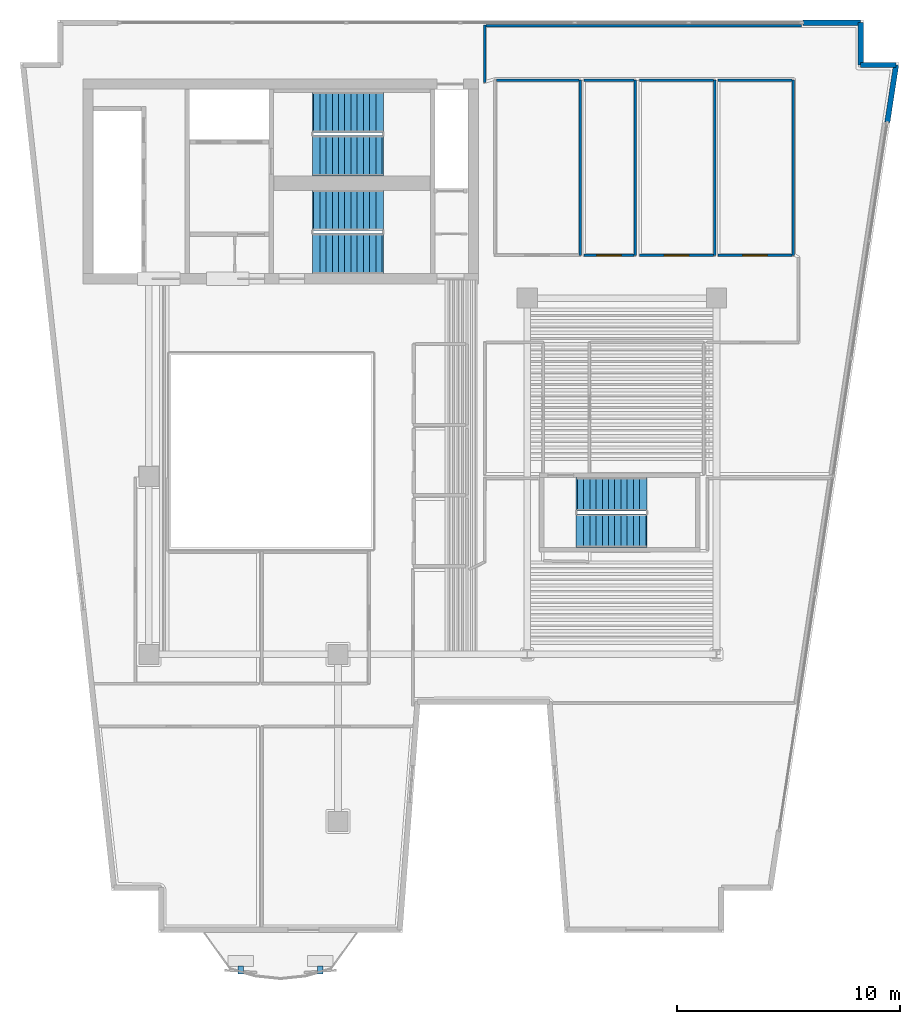
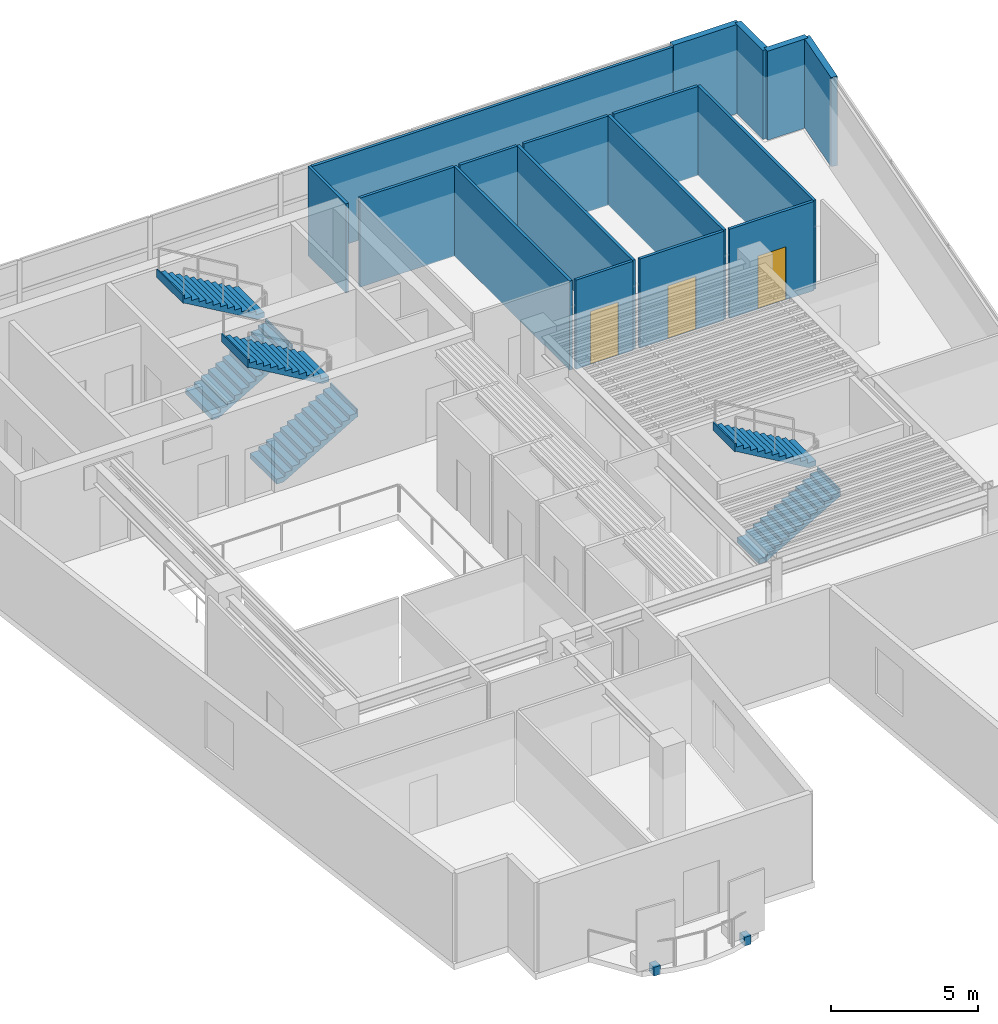
# One storey, part 6 of 8: 17 walls, 6 stair flights, 3 doors, 2 discrete accessories, 3 openings, 3 elements without a shape of their own.
"""IFC4 building model written with IfcOpenShell, lengths in metres."""

from ifc_helpers import new_model, si_unit, direction, frame, frame_2d, origin, origin_2d, place, context, subcontext, project, spatial, polyline, rectangle, outline, extrude, material, layer, layer_set, type_object, element, fill, aggregate, save


model = new_model("IFC4")

# Units and contexts
model_context = context("Model", 3, precision=1e-05, world=origin(), true_north=direction((0.0, 1.0)))
body_context = subcontext(model_context, "Body", "Model", "MODEL_VIEW")
ifc_project = project(units=[si_unit("LENGTHUNIT", "METRE"), si_unit("AREAUNIT", "SQUARE_METRE"), si_unit("VOLUMEUNIT", "CUBIC_METRE"), si_unit("PLANEANGLEUNIT", "RADIAN"), si_unit("MASSUNIT", "GRAM", prefix="KILO")], contexts=[model_context])

# Site, building, storey
site_placement = place(None, origin())
site = spatial("IfcSite", under=ifc_project, at=site_placement, CompositionType="ELEMENT")
building_placement = place(site_placement, origin())
building = spatial("IfcBuilding", under=site, at=building_placement, Name="Caeloran Harvest Quay", CompositionType="ELEMENT")
storey_placement = place(building_placement, frame((0.0, 0.0, 243.0)))
storey = spatial("IfcBuildingStorey", under=building, at=storey_placement, Name="L58", CompositionType="ELEMENT", Elevation=243.0)

# Walls
ifc_material_1 = material(Name="Precast concrete C50/60", Category="concrete")
ifc_layer_1 = layer(ifc_material_1, 0.239990234375, Name="Precast concrete C50/60")
ifc_layer_set_1 = layer_set([ifc_layer_1], Name="Precast concrete C50/60")
wall_type_1 = type_object("IfcWallType", Name="ENV-WALL-EW-240", PredefinedType="STANDARD", material=ifc_layer_set_1)
wall_1_placement = place(storey_placement, frame((37.8798828125, 43.3798828125, 0.0), z_axis=(0.0, 0.0, 1.0), x_axis=(1.0, 0.0, 0.0)))
element("IfcWall", 1, at=wall_1_placement, inside=storey, type_object=wall_type_1, Name="L58 Exterior Facade Corner Pier Wall 6B", PredefinedType="STANDARD", context=body_context, shape_type="SweptSolid", body=[
    extrude(rectangle(XDim=2.60009765625, YDim=0.239990234375, at=frame_2d((1.300048828125, 0.0))), origin(), (0.0, 0.0, 1.0), 3.699951171875),
])
wall_2_placement = place(storey_placement, frame((40.47998046875, 43.3798828125, 0.0), z_axis=(0.0, 0.0, 1.0), x_axis=(0.0, -1.0, 0.0)))
element("IfcWall", 2, at=wall_2_placement, inside=storey, type_object=wall_type_1, Name="L58 Exterior Precast Concrete Facade Wall 7", PredefinedType="STANDARD", context=body_context, shape_type="SweptSolid", body=[
    extrude(rectangle(XDim=1.89990234375, YDim=0.239990234375, at=frame_2d((0.949951171875, 0.0))), origin(), (0.0, 0.0, 1.0), 3.699951171875),
])
wall_3_placement = place(storey_placement, frame((40.47998046875, 41.47998046875, 0.0), z_axis=(0.0, 0.0, 1.0), x_axis=(1.0, 0.0, 0.0)))
element("IfcWall", 3, at=wall_3_placement, inside=storey, type_object=wall_type_1, Name="L58 Exterior Precast Concrete Facade Wall 8", PredefinedType="STANDARD", context=body_context, shape_type="SweptSolid", body=[
    extrude(rectangle(XDim=1.590087890625, YDim=0.239990234375, at=frame_2d((0.794921875, 0.0))), origin(), (0.0, 0.0, 1.0), 3.699951171875),
])
wall_4_placement = place(storey_placement, frame((42.070068359375, 41.47998046875, 0.0), z_axis=(0.0, 0.0, 1.0), x_axis=(-0.151090396132, -0.988519950328, 0.0)))
element("IfcWall", 4, at=wall_4_placement, inside=storey, type_object=wall_type_1, Name="L58 Exterior Facade Corner Pier Wall 9A", PredefinedType="STANDARD", context=body_context, shape_type="SweptSolid", body=[
    extrude(rectangle(XDim=2.599853515625, YDim=0.239990234375, at=frame_2d((1.2998046875, 0.0))), origin(), (0.0, 0.0, 1.0), 3.699951171875),
])
ifc_material_2 = material(Name="Single-Stud Acoustic Gypsum Office Partition", Category="gypsum")
ifc_layer_2 = layer(ifc_material_2, 0.112060546875, Name="Single-Stud Acoustic Gypsum Office Partition")
ifc_layer_set_2 = layer_set([ifc_layer_2], Name="Single-Stud Acoustic Gypsum Office Partition")
wall_type_2 = type_object("IfcWallType", Name="INT-WALL-PW-112", PredefinedType="PARTITIONING", material=ifc_layer_set_2)
wall_5_placement = place(storey_placement, frame((27.8798828125, 40.800048828125, 0.0), z_axis=(0.0, 0.0, 1.0), x_axis=(0.0, -1.0, 0.0)))
element("IfcWall", 5, at=wall_5_placement, inside=storey, type_object=wall_type_2, Name="L58 Crop Phenotyping West Laboratory Partition Wall", PredefinedType="PARTITIONING", context=body_context, shape_type="SweptSolid", body=[
    extrude(rectangle(XDim=7.880126953125, YDim=0.112060546875, at=frame_2d((3.93994140625, 0.0))), origin(), (0.0, 0.0, 1.0), 3.699951171875),
])
wall_6_placement = place(storey_placement, frame((24.111083984375, 40.800048828125, 0.0), z_axis=(0.0, 0.0, 1.0), x_axis=(1.0, 0.0, 0.0)))
element("IfcWall", 6, at=wall_6_placement, inside=storey, type_object=wall_type_2, Name="L58 Crop Phenotyping West Laboratory Partition Wall", PredefinedType="PARTITIONING", context=body_context, shape_type="SweptSolid", body=[
    extrude(rectangle(XDim=3.7080078125, YDim=0.112060546875, at=frame_2d((1.85400390625, 0.0))), origin(), (0.0, 0.0, 1.0), 3.699951171875),
])
wall_7_placement = place(storey_placement, frame((30.35009765625, 40.800048828125, 0.0), z_axis=(0.0, 0.0, 1.0), x_axis=(0.0, -1.0, 0.0)))
element("IfcWall", 7, at=wall_7_placement, inside=storey, type_object=wall_type_2, Name="L58 Genomics Sequencing East Studio Partition Wall", PredefinedType="PARTITIONING", context=body_context, shape_type="SweptSolid", body=[
    extrude(rectangle(XDim=7.880126953125, YDim=0.112060546875, at=frame_2d((3.93994140625, 0.0))), origin(), (0.0, 0.0, 1.0), 3.699951171875),
])

# Wall, opening, door
wall_8_placement = place(storey_placement, frame((30.2890625, 32.919921875, 0.0), z_axis=(0.0, 0.0, 1.0), x_axis=(-1.0, 0.0, 0.0)))
wall_8 = element("IfcWall", 8, at=wall_8_placement, inside=storey, type_object=wall_type_2, Name="L58 Genomics Sequencing East Studio Partition Wall", PredefinedType="PARTITIONING", context=body_context, shape_type="SweptSolid", body=[
    extrude(rectangle(XDim=2.2490234375, YDim=0.112060546875, at=frame_2d((1.12451171875, 0.0))), origin(), (0.0, 0.0, 1.0), 3.699951171875),
])
opening_1_placement = place(wall_8_placement, frame((0.574462890625, 0.0, 0.0)))
opening_1 = element("IfcOpeningElement", 9, at=opening_1_placement, cuts=wall_8, Name="Opening ID-04", PredefinedType="OPENING", context=body_context, shape_type="SweptSolid", body=[
    extrude(rectangle(XDim=1.10009765625, YDim=2.199951171875, at=frame_2d((0.550048828125, 1.10009765625))), frame((0.0, 0.06591796875, 0.0), z_axis=(0.0, -1.0, 0.0), x_axis=(1.0, 0.0, 0.0)), (0.0, 0.0, 1.0), 0.132080078125),
])
ifc_material_3 = material(Name="Acoustic Walnut Veneer Executive Door", Category="wood")
door_type = type_object("IfcDoorType", Name="INTDOOR-ID-04", OperationType="NOTDEFINED", PredefinedType="DOOR", material=ifc_material_3)
door_1_placement = place(opening_1_placement, origin())
door_1 = element("IfcDoor", 10, at=door_1_placement, inside=storey, type_object=door_type, Name="L58 Genomics Sequencing East Studio Access Door", OperationType="SINGLE_SWING_RIGHT", OverallHeight=2.199951171875, OverallWidth=1.10009765625, PredefinedType="DOOR", context=body_context, shape_type="SweptSolid", body=[
    extrude(rectangle(XDim=1.10009765625, YDim=2.199951171875, at=frame_2d((0.550048828125, 1.10009765625))), frame((0.0, 0.02490234375, 0.0), z_axis=(0.0, -1.0, 0.0), x_axis=(1.0, 0.0, 0.0)), (0.0, 0.0, 1.0), 0.050048828125),
])
fill(opening_1, door_1)

# Walls
wall_9_placement = place(storey_placement, frame((28.0400390625, 40.800048828125, 0.0), z_axis=(0.0, 0.0, 1.0), x_axis=(1.0, 0.0, 0.0)))
element("IfcWall", 11, at=wall_9_placement, inside=storey, type_object=wall_type_2, Name="L58 Genomics Sequencing East Studio Partition Wall", PredefinedType="PARTITIONING", context=body_context, shape_type="SweptSolid", body=[
    extrude(rectangle(XDim=2.2490234375, YDim=0.112060546875, at=frame_2d((1.12451171875, 0.0))), origin(), (0.0, 0.0, 1.0), 3.699951171875),
])
wall_10_placement = place(storey_placement, frame((33.919921875, 40.800048828125, 0.0), z_axis=(0.0, 0.0, 1.0), x_axis=(0.0, -1.0, 0.0)))
element("IfcWall", 12, at=wall_10_placement, inside=storey, type_object=wall_type_2, Name="L58 Agri-Genomics West Boardroom Partition Wall", PredefinedType="PARTITIONING", context=body_context, shape_type="SweptSolid", body=[
    extrude(rectangle(XDim=7.880126953125, YDim=0.112060546875, at=frame_2d((3.93994140625, 0.0))), origin(), (0.0, 0.0, 1.0), 3.699951171875),
])

# Wall, opening, door
wall_11_placement = place(storey_placement, frame((33.85888671875, 32.919921875, 0.0), z_axis=(0.0, 0.0, 1.0), x_axis=(-1.0, 0.0, 0.0)))
wall_11 = element("IfcWall", 13, at=wall_11_placement, inside=storey, type_object=wall_type_2, Name="L58 Agri-Genomics West Boardroom Partition Wall", PredefinedType="PARTITIONING", context=body_context, shape_type="SweptSolid", body=[
    extrude(rectangle(XDim=3.308837890625, YDim=0.112060546875, at=frame_2d((1.654296875, 0.0))), origin(), (0.0, 0.0, 1.0), 3.699951171875),
])
opening_2_placement = place(wall_11_placement, frame((1.1044921875, 0.0, 0.0)))
opening_2 = element("IfcOpeningElement", 14, at=opening_2_placement, cuts=wall_11, Name="Opening ID-04", PredefinedType="OPENING", context=body_context, shape_type="SweptSolid", body=[
    extrude(rectangle(XDim=1.10009765625, YDim=2.199951171875, at=frame_2d((0.550048828125, 1.10009765625))), frame((0.0, 0.06591796875, 0.0), z_axis=(0.0, -1.0, 0.0), x_axis=(1.0, 0.0, 0.0)), (0.0, 0.0, 1.0), 0.132080078125),
])
door_2_placement = place(opening_2_placement, origin())
door_2 = element("IfcDoor", 15, at=door_2_placement, inside=storey, type_object=door_type, Name="L58 Agri-Genomics West Boardroom Access Door", OperationType="SINGLE_SWING_LEFT", OverallHeight=2.199951171875, OverallWidth=1.10009765625, PredefinedType="DOOR", context=body_context, shape_type="SweptSolid", body=[
    extrude(rectangle(XDim=1.10009765625, YDim=2.199951171875, at=frame_2d((0.550048828125, 1.10009765625))), frame((0.0, 0.02490234375, 0.0), z_axis=(0.0, -1.0, 0.0), x_axis=(1.0, 0.0, 0.0)), (0.0, 0.0, 1.0), 0.050048828125),
])
fill(opening_2, door_2)

# Walls
wall_12_placement = place(storey_placement, frame((30.550048828125, 40.800048828125, 0.0), z_axis=(0.0, 0.0, 1.0), x_axis=(1.0, 0.0, 0.0)))
element("IfcWall", 16, at=wall_12_placement, inside=storey, type_object=wall_type_2, Name="L58 Agri-Genomics West Boardroom Partition Wall", PredefinedType="PARTITIONING", context=body_context, shape_type="SweptSolid", body=[
    extrude(rectangle(XDim=3.308837890625, YDim=0.112060546875, at=frame_2d((1.654296875, 0.0))), origin(), (0.0, 0.0, 1.0), 3.699951171875),
])
wall_13_placement = place(storey_placement, frame((37.449951171875, 40.800048828125, 0.0), z_axis=(0.0, 0.0, 1.0), x_axis=(0.0, -1.0, 0.0)))
element("IfcWall", 17, at=wall_13_placement, inside=storey, type_object=wall_type_2, Name="L58 Executive Strategy East Office Partition Wall", PredefinedType="PARTITIONING", context=body_context, shape_type="SweptSolid", body=[
    extrude(rectangle(XDim=7.880126953125, YDim=0.112060546875, at=frame_2d((3.93994140625, 0.0))), origin(), (0.0, 0.0, 1.0), 3.699951171875),
])

# Wall, opening, door
wall_14_placement = place(storey_placement, frame((37.388916015625, 32.919921875, 0.0), z_axis=(0.0, 0.0, 1.0), x_axis=(-1.0, 0.0, 0.0)))
wall_14 = element("IfcWall", 18, at=wall_14_placement, inside=storey, type_object=wall_type_2, Name="L58 Executive Strategy East Office Partition Wall", PredefinedType="PARTITIONING", context=body_context, shape_type="SweptSolid", body=[
    extrude(rectangle(XDim=3.308837890625, YDim=0.112060546875, at=frame_2d((1.654296875, 0.0))), origin(), (0.0, 0.0, 1.0), 3.699951171875),
])
opening_3_placement = place(wall_14_placement, frame((1.1044921875, 0.0, 0.0)))
opening_3 = element("IfcOpeningElement", 19, at=opening_3_placement, cuts=wall_14, Name="Opening ID-04", PredefinedType="OPENING", context=body_context, shape_type="SweptSolid", body=[
    extrude(rectangle(XDim=1.10009765625, YDim=2.199951171875, at=frame_2d((0.550048828125, 1.10009765625))), frame((0.0, 0.06591796875, 0.0), z_axis=(0.0, -1.0, 0.0), x_axis=(1.0, 0.0, 0.0)), (0.0, 0.0, 1.0), 0.132080078125),
])
door_3_placement = place(opening_3_placement, origin())
door_3 = element("IfcDoor", 20, at=door_3_placement, inside=storey, type_object=door_type, Name="L58 Executive Strategy East Office Access Door", OperationType="SINGLE_SWING_RIGHT", OverallHeight=2.199951171875, OverallWidth=1.10009765625, PredefinedType="DOOR", context=body_context, shape_type="SweptSolid", body=[
    extrude(rectangle(XDim=1.10009765625, YDim=2.199951171875, at=frame_2d((0.550048828125, 1.10009765625))), frame((0.0, 0.02490234375, 0.0), z_axis=(0.0, -1.0, 0.0), x_axis=(1.0, 0.0, 0.0)), (0.0, 0.0, 1.0), 0.050048828125),
])
fill(opening_3, door_3)

# Walls
wall_15_placement = place(storey_placement, frame((34.080078125, 40.800048828125, 0.0), z_axis=(0.0, 0.0, 1.0), x_axis=(1.0, 0.0, 0.0)))
element("IfcWall", 21, at=wall_15_placement, inside=storey, type_object=wall_type_2, Name="L58 Executive Strategy East Office Partition Wall", PredefinedType="PARTITIONING", context=body_context, shape_type="SweptSolid", body=[
    extrude(rectangle(XDim=3.308837890625, YDim=0.112060546875, at=frame_2d((1.654296875, 0.0))), origin(), (0.0, 0.0, 1.0), 3.699951171875),
])
wall_16_placement = place(storey_placement, frame((23.580078125, 40.693115234375, 0.0), z_axis=(0.0, 0.0, 1.0), x_axis=(0.0, 1.0, 0.0)))
element("IfcWall", 22, at=wall_16_placement, inside=storey, type_object=wall_type_2, Name="GIS Spatial Modelling Lab 8 Partition Wall", PredefinedType="PARTITIONING", context=body_context, shape_type="SweptSolid", body=[
    extrude(rectangle(XDim=2.581787109375, YDim=0.112060546875, at=frame_2d((1.291015625, 0.0))), origin(), (0.0, 0.0, 1.0), 3.699951171875),
])
wall_17_placement = place(storey_placement, frame((23.64111328125, 43.239990234375, 0.0), z_axis=(0.0, 0.0, 1.0), x_axis=(1.0, 0.0, 0.0)))
element("IfcWall", 23, at=wall_17_placement, inside=storey, type_object=wall_type_2, Name="GIS Spatial Modelling Lab 8 Partition Wall", PredefinedType="PARTITIONING", context=body_context, shape_type="SweptSolid", body=[
    extrude(rectangle(XDim=14.173828125, YDim=0.112060546875, at=frame_2d((7.0869140625, 0.0))), origin(), (0.0, 0.0, 1.0), 3.699951171875),
])

# Stair, stair flights
ifc_material_4 = material(Name="Concrete C50/60", Category="concrete")
stair_type_1 = type_object("IfcStairType", Name="STAIR-STC-180", PredefinedType="HALF_TURN_STAIR", material=ifc_material_4)
stair_1_placement = place(storey_placement, origin())
stair_1 = element("IfcStair", 24, at=stair_1_placement, inside=storey, type_object=stair_type_1, Name="L58 Core Pressurized Exit Stair ST-C1", PredefinedType="HALF_TURN_STAIR")
stair_flight_type_1 = type_object("IfcStairFlightType", Name="FLIGHT-STC-180", PredefinedType="STRAIGHT", material=ifc_material_4)
stair_flight_1_placement = place(storey_placement, frame((15.89990234375, 37.39990234375, 0.0), z_axis=(0.0, 0.0, 1.0), x_axis=(1.0, 0.0, 0.0)))
stair_flight_1 = element("IfcStairFlight", 25, at=stair_flight_1_placement, type_object=stair_flight_type_1, Name="ST-C1 flight 1", NumberOfRisers=12, NumberOfTreads=11, PredefinedType="STRAIGHT", RiserHeight=0.164583333, TreadLength=0.28, context=body_context, shape_type="SweptSolid", body=[
    extrude(outline(polyline([(-0.054931640625, -0.044921875), (-0.054931640625, -0.031982421875), (-0.054931640625, -0.018798828125), (-0.054931640625, -0.005615234375), (-0.054931640625, 0.00732421875), (-0.054931640625, 0.0205078125), (-0.054931640625, 0.03369140625), (-0.054931640625, 0.046630859375), (-0.054931640625, 0.059814453125), (-0.054931640625, 0.072998046875), (-0.054931640625, 0.0859375), (-0.054931640625, 0.09912109375), (-0.054931640625, 0.1123046875), (-0.054931640625, 0.125244140625), (-0.054931640625, 0.138427734375), (-0.054931640625, 0.1513671875), (-0.054931640625, 0.16455078125), (0.280029296875, 0.16455078125), (0.280029296875, 0.3291015625), (0.56005859375, 0.3291015625), (0.56005859375, 0.49365234375), (0.840087890625, 0.49365234375), (0.840087890625, 0.658447265625), (1.1201171875, 0.658447265625), (1.1201171875, 0.822998046875), (1.39990234375, 0.822998046875), (1.39990234375, 0.987548828125), (1.679931640625, 0.987548828125), (1.679931640625, 1.152099609375), (1.9599609375, 1.152099609375), (1.9599609375, 1.316650390625), (2.239990234375, 1.316650390625), (2.239990234375, 1.481201171875), (2.52001953125, 1.481201171875), (2.52001953125, 1.645751953125), (2.800048828125, 1.645751953125), (2.800048828125, 1.810302734375), (3.080078125, 1.810302734375), (3.080078125, 1.97509765625), (3.135009765625, 1.97509765625), (3.135009765625, 1.953857421875), (3.135009765625, 1.9326171875), (3.135009765625, 1.91162109375), (3.135009765625, 1.890380859375), (3.135009765625, 1.869140625), (3.135009765625, 1.84814453125), (3.135009765625, 1.826904296875), (3.135009765625, 1.8056640625), (3.135009765625, 1.78466796875), (3.135009765625, 1.763427734375), (3.135009765625, 1.7421875), (3.135009765625, 1.72119140625), (3.135009765625, 1.699951171875), (3.135009765625, 1.678955078125), (3.135009765625, 1.65771484375), (3.135009765625, 1.636474609375), (3.080078125, 1.636474609375), (0.21923828125, -0.044921875), (-0.054931640625, -0.044921875)])), frame((0.0, 0.89990234375, 0.0), z_axis=(0.0, -1.0, 0.0), x_axis=(1.0, 0.0, 0.0)), (0.0, 0.0, 1.0), 1.800048828125),
])
stair_flight_2_placement = place(storey_placement, frame((18.97998046875, 39.35009765625, 1.97509765625), z_axis=(0.0, 0.0, 1.0), x_axis=(-1.0, 0.0, 0.0)))
stair_flight_2 = element("IfcStairFlight", 26, at=stair_flight_2_placement, type_object=stair_flight_type_1, Name="ST-C1 flight 2", NumberOfRisers=12, NumberOfTreads=11, PredefinedType="STRAIGHT", RiserHeight=0.164583333, TreadLength=0.28, context=body_context, shape_type="SweptSolid", body=[
    extrude(outline(polyline([(-0.054931640625, -0.044921875), (-0.054931640625, -0.031982421875), (-0.054931640625, -0.018798828125), (-0.054931640625, -0.005615234375), (-0.054931640625, 0.00732421875), (-0.054931640625, 0.0205078125), (-0.054931640625, 0.03369140625), (-0.054931640625, 0.046630859375), (-0.054931640625, 0.059814453125), (-0.054931640625, 0.072998046875), (-0.054931640625, 0.0859375), (-0.054931640625, 0.09912109375), (-0.054931640625, 0.1123046875), (-0.054931640625, 0.125244140625), (-0.054931640625, 0.138427734375), (-0.054931640625, 0.1513671875), (-0.054931640625, 0.16455078125), (0.280029296875, 0.16455078125), (0.280029296875, 0.3291015625), (0.56005859375, 0.3291015625), (0.56005859375, 0.49365234375), (0.840087890625, 0.49365234375), (0.840087890625, 0.658447265625), (1.1201171875, 0.658447265625), (1.1201171875, 0.822998046875), (1.39990234375, 0.822998046875), (1.39990234375, 0.987548828125), (1.679931640625, 0.987548828125), (1.679931640625, 1.152099609375), (1.9599609375, 1.152099609375), (1.9599609375, 1.316650390625), (2.239990234375, 1.316650390625), (2.239990234375, 1.481201171875), (2.52001953125, 1.481201171875), (2.52001953125, 1.645751953125), (2.800048828125, 1.645751953125), (2.800048828125, 1.810302734375), (3.080078125, 1.810302734375), (3.080078125, 1.97509765625), (3.135009765625, 1.97509765625), (3.135009765625, 1.953857421875), (3.135009765625, 1.9326171875), (3.135009765625, 1.91162109375), (3.135009765625, 1.890380859375), (3.135009765625, 1.869140625), (3.135009765625, 1.84814453125), (3.135009765625, 1.826904296875), (3.135009765625, 1.8056640625), (3.135009765625, 1.78466796875), (3.135009765625, 1.763427734375), (3.135009765625, 1.7421875), (3.135009765625, 1.72119140625), (3.135009765625, 1.699951171875), (3.135009765625, 1.678955078125), (3.135009765625, 1.65771484375), (3.135009765625, 1.636474609375), (3.080078125, 1.636474609375), (0.21923828125, -0.044921875), (-0.054931640625, -0.044921875)])), frame((0.0, 0.89990234375, 0.0), z_axis=(0.0, -1.0, 0.0), x_axis=(1.0, 0.0, 0.0)), (0.0, 0.0, 1.0), 1.800048828125),
])
aggregate(stair_1, [stair_flight_1, stair_flight_2])

stair_2_placement = place(storey_placement, origin())
stair_2 = element("IfcStair", 27, at=stair_2_placement, inside=storey, type_object=stair_type_1, Name="L58 Core Pressurized Exit Stair ST-C2", PredefinedType="HALF_TURN_STAIR")
stair_flight_3_placement = place(storey_placement, frame((15.89990234375, 33.0, 0.0), z_axis=(0.0, 0.0, 1.0), x_axis=(1.0, 0.0, 0.0)))
stair_flight_3 = element("IfcStairFlight", 28, at=stair_flight_3_placement, type_object=stair_flight_type_1, Name="ST-C2 flight 1", NumberOfRisers=12, NumberOfTreads=11, PredefinedType="STRAIGHT", RiserHeight=0.164583333, TreadLength=0.28, context=body_context, shape_type="SweptSolid", body=[
    extrude(outline(polyline([(-0.054931640625, -0.044921875), (-0.054931640625, -0.031982421875), (-0.054931640625, -0.018798828125), (-0.054931640625, -0.005615234375), (-0.054931640625, 0.00732421875), (-0.054931640625, 0.0205078125), (-0.054931640625, 0.03369140625), (-0.054931640625, 0.046630859375), (-0.054931640625, 0.059814453125), (-0.054931640625, 0.072998046875), (-0.054931640625, 0.0859375), (-0.054931640625, 0.09912109375), (-0.054931640625, 0.1123046875), (-0.054931640625, 0.125244140625), (-0.054931640625, 0.138427734375), (-0.054931640625, 0.1513671875), (-0.054931640625, 0.16455078125), (0.280029296875, 0.16455078125), (0.280029296875, 0.3291015625), (0.56005859375, 0.3291015625), (0.56005859375, 0.49365234375), (0.840087890625, 0.49365234375), (0.840087890625, 0.658447265625), (1.1201171875, 0.658447265625), (1.1201171875, 0.822998046875), (1.39990234375, 0.822998046875), (1.39990234375, 0.987548828125), (1.679931640625, 0.987548828125), (1.679931640625, 1.152099609375), (1.9599609375, 1.152099609375), (1.9599609375, 1.316650390625), (2.239990234375, 1.316650390625), (2.239990234375, 1.481201171875), (2.52001953125, 1.481201171875), (2.52001953125, 1.645751953125), (2.800048828125, 1.645751953125), (2.800048828125, 1.810302734375), (3.080078125, 1.810302734375), (3.080078125, 1.97509765625), (3.135009765625, 1.97509765625), (3.135009765625, 1.953857421875), (3.135009765625, 1.9326171875), (3.135009765625, 1.91162109375), (3.135009765625, 1.890380859375), (3.135009765625, 1.869140625), (3.135009765625, 1.84814453125), (3.135009765625, 1.826904296875), (3.135009765625, 1.8056640625), (3.135009765625, 1.78466796875), (3.135009765625, 1.763427734375), (3.135009765625, 1.7421875), (3.135009765625, 1.72119140625), (3.135009765625, 1.699951171875), (3.135009765625, 1.678955078125), (3.135009765625, 1.65771484375), (3.135009765625, 1.636474609375), (3.080078125, 1.636474609375), (0.21923828125, -0.044921875), (-0.054931640625, -0.044921875)])), frame((0.0, 0.89990234375, 0.0), z_axis=(0.0, -1.0, 0.0), x_axis=(1.0, 0.0, 0.0)), (0.0, 0.0, 1.0), 1.800048828125),
])
stair_flight_4_placement = place(storey_placement, frame((18.97998046875, 34.949951171875, 1.97509765625), z_axis=(0.0, 0.0, 1.0), x_axis=(-1.0, 0.0, 0.0)))
stair_flight_4 = element("IfcStairFlight", 29, at=stair_flight_4_placement, type_object=stair_flight_type_1, Name="ST-C2 flight 2", NumberOfRisers=12, NumberOfTreads=11, PredefinedType="STRAIGHT", RiserHeight=0.164583333, TreadLength=0.28, context=body_context, shape_type="SweptSolid", body=[
    extrude(outline(polyline([(-0.054931640625, -0.044921875), (-0.054931640625, -0.031982421875), (-0.054931640625, -0.018798828125), (-0.054931640625, -0.005615234375), (-0.054931640625, 0.00732421875), (-0.054931640625, 0.0205078125), (-0.054931640625, 0.03369140625), (-0.054931640625, 0.046630859375), (-0.054931640625, 0.059814453125), (-0.054931640625, 0.072998046875), (-0.054931640625, 0.0859375), (-0.054931640625, 0.09912109375), (-0.054931640625, 0.1123046875), (-0.054931640625, 0.125244140625), (-0.054931640625, 0.138427734375), (-0.054931640625, 0.1513671875), (-0.054931640625, 0.16455078125), (0.280029296875, 0.16455078125), (0.280029296875, 0.3291015625), (0.56005859375, 0.3291015625), (0.56005859375, 0.49365234375), (0.840087890625, 0.49365234375), (0.840087890625, 0.658447265625), (1.1201171875, 0.658447265625), (1.1201171875, 0.822998046875), (1.39990234375, 0.822998046875), (1.39990234375, 0.987548828125), (1.679931640625, 0.987548828125), (1.679931640625, 1.152099609375), (1.9599609375, 1.152099609375), (1.9599609375, 1.316650390625), (2.239990234375, 1.316650390625), (2.239990234375, 1.481201171875), (2.52001953125, 1.481201171875), (2.52001953125, 1.645751953125), (2.800048828125, 1.645751953125), (2.800048828125, 1.810302734375), (3.080078125, 1.810302734375), (3.080078125, 1.97509765625), (3.135009765625, 1.97509765625), (3.135009765625, 1.953857421875), (3.135009765625, 1.9326171875), (3.135009765625, 1.91162109375), (3.135009765625, 1.890380859375), (3.135009765625, 1.869140625), (3.135009765625, 1.84814453125), (3.135009765625, 1.826904296875), (3.135009765625, 1.8056640625), (3.135009765625, 1.78466796875), (3.135009765625, 1.763427734375), (3.135009765625, 1.7421875), (3.135009765625, 1.72119140625), (3.135009765625, 1.699951171875), (3.135009765625, 1.678955078125), (3.135009765625, 1.65771484375), (3.135009765625, 1.636474609375), (3.080078125, 1.636474609375), (0.21923828125, -0.044921875), (-0.054931640625, -0.044921875)])), frame((0.0, 0.89990234375, 0.0), z_axis=(0.0, -1.0, 0.0), x_axis=(1.0, 0.0, 0.0)), (0.0, 0.0, 1.0), 1.800048828125),
])
aggregate(stair_2, [stair_flight_3, stair_flight_4])

stair_type_2 = type_object("IfcStairType", Name="STAIR-STW-150", PredefinedType="HALF_TURN_STAIR", material=ifc_material_4)
stair_3_placement = place(storey_placement, origin())
stair_3 = element("IfcStair", 30, at=stair_3_placement, inside=storey, type_object=stair_type_2, Name="L58 East Wing Protected Exit Stair ST-W1", PredefinedType="HALF_TURN_STAIR")
stair_flight_type_2 = type_object("IfcStairFlightType", Name="FLIGHT-STW-150", PredefinedType="STRAIGHT", material=ifc_material_4)
stair_flight_5_placement = place(storey_placement, frame((27.75, 20.550048828125, 0.0), z_axis=(0.0, 0.0, 1.0), x_axis=(1.0, 0.0, 0.0)))
stair_flight_5 = element("IfcStairFlight", 31, at=stair_flight_5_placement, type_object=stair_flight_type_2, Name="ST-W1 flight 1", NumberOfRisers=12, NumberOfTreads=11, PredefinedType="STRAIGHT", RiserHeight=0.164583333, TreadLength=0.28, context=body_context, shape_type="SweptSolid", body=[
    extrude(outline(polyline([(-0.054931640625, -0.044921875), (-0.054931640625, -0.031982421875), (-0.054931640625, -0.018798828125), (-0.054931640625, -0.005615234375), (-0.054931640625, 0.00732421875), (-0.054931640625, 0.0205078125), (-0.054931640625, 0.03369140625), (-0.054931640625, 0.046630859375), (-0.054931640625, 0.059814453125), (-0.054931640625, 0.072998046875), (-0.054931640625, 0.0859375), (-0.054931640625, 0.09912109375), (-0.054931640625, 0.1123046875), (-0.054931640625, 0.125244140625), (-0.054931640625, 0.138427734375), (-0.054931640625, 0.1513671875), (-0.054931640625, 0.16455078125), (0.280029296875, 0.16455078125), (0.280029296875, 0.3291015625), (0.56005859375, 0.3291015625), (0.56005859375, 0.49365234375), (0.840087890625, 0.49365234375), (0.840087890625, 0.658447265625), (1.1201171875, 0.658447265625), (1.1201171875, 0.822998046875), (1.39990234375, 0.822998046875), (1.39990234375, 0.987548828125), (1.679931640625, 0.987548828125), (1.679931640625, 1.152099609375), (1.9599609375, 1.152099609375), (1.9599609375, 1.316650390625), (2.239990234375, 1.316650390625), (2.239990234375, 1.481201171875), (2.52001953125, 1.481201171875), (2.52001953125, 1.645751953125), (2.800048828125, 1.645751953125), (2.800048828125, 1.810302734375), (3.080078125, 1.810302734375), (3.080078125, 1.97509765625), (3.135009765625, 1.97509765625), (3.135009765625, 1.953857421875), (3.135009765625, 1.9326171875), (3.135009765625, 1.91162109375), (3.135009765625, 1.890380859375), (3.135009765625, 1.869140625), (3.135009765625, 1.84814453125), (3.135009765625, 1.826904296875), (3.135009765625, 1.8056640625), (3.135009765625, 1.78466796875), (3.135009765625, 1.763427734375), (3.135009765625, 1.7421875), (3.135009765625, 1.72119140625), (3.135009765625, 1.699951171875), (3.135009765625, 1.678955078125), (3.135009765625, 1.65771484375), (3.135009765625, 1.636474609375), (3.080078125, 1.636474609375), (0.21923828125, -0.044921875), (-0.054931640625, -0.044921875)])), frame((0.0, 0.75, 0.0), z_axis=(0.0, -1.0, 0.0), x_axis=(1.0, 0.0, 0.0)), (0.0, 0.0, 1.0), 1.5),
])
stair_flight_6_placement = place(storey_placement, frame((30.830078125, 22.199951171875, 1.97509765625), z_axis=(0.0, 0.0, 1.0), x_axis=(-1.0, 0.0, 0.0)))
stair_flight_6 = element("IfcStairFlight", 32, at=stair_flight_6_placement, type_object=stair_flight_type_2, Name="ST-W1 flight 2", NumberOfRisers=12, NumberOfTreads=11, PredefinedType="STRAIGHT", RiserHeight=0.164583333, TreadLength=0.28, context=body_context, shape_type="SweptSolid", body=[
    extrude(outline(polyline([(-0.054931640625, -0.044921875), (-0.054931640625, -0.031982421875), (-0.054931640625, -0.018798828125), (-0.054931640625, -0.005615234375), (-0.054931640625, 0.00732421875), (-0.054931640625, 0.0205078125), (-0.054931640625, 0.03369140625), (-0.054931640625, 0.046630859375), (-0.054931640625, 0.059814453125), (-0.054931640625, 0.072998046875), (-0.054931640625, 0.0859375), (-0.054931640625, 0.09912109375), (-0.054931640625, 0.1123046875), (-0.054931640625, 0.125244140625), (-0.054931640625, 0.138427734375), (-0.054931640625, 0.1513671875), (-0.054931640625, 0.16455078125), (0.280029296875, 0.16455078125), (0.280029296875, 0.3291015625), (0.56005859375, 0.3291015625), (0.56005859375, 0.49365234375), (0.840087890625, 0.49365234375), (0.840087890625, 0.658447265625), (1.1201171875, 0.658447265625), (1.1201171875, 0.822998046875), (1.39990234375, 0.822998046875), (1.39990234375, 0.987548828125), (1.679931640625, 0.987548828125), (1.679931640625, 1.152099609375), (1.9599609375, 1.152099609375), (1.9599609375, 1.316650390625), (2.239990234375, 1.316650390625), (2.239990234375, 1.481201171875), (2.52001953125, 1.481201171875), (2.52001953125, 1.645751953125), (2.800048828125, 1.645751953125), (2.800048828125, 1.810302734375), (3.080078125, 1.810302734375), (3.080078125, 1.97509765625), (3.135009765625, 1.97509765625), (3.135009765625, 1.953857421875), (3.135009765625, 1.9326171875), (3.135009765625, 1.91162109375), (3.135009765625, 1.890380859375), (3.135009765625, 1.869140625), (3.135009765625, 1.84814453125), (3.135009765625, 1.826904296875), (3.135009765625, 1.8056640625), (3.135009765625, 1.78466796875), (3.135009765625, 1.763427734375), (3.135009765625, 1.7421875), (3.135009765625, 1.72119140625), (3.135009765625, 1.699951171875), (3.135009765625, 1.678955078125), (3.135009765625, 1.65771484375), (3.135009765625, 1.636474609375), (3.080078125, 1.636474609375), (0.21923828125, -0.044921875), (-0.054931640625, -0.044921875)])), frame((0.0, 0.75, 0.0), z_axis=(0.0, -1.0, 0.0), x_axis=(1.0, 0.0, 0.0)), (0.0, 0.0, 1.0), 1.5),
])
aggregate(stair_3, [stair_flight_5, stair_flight_6])

# Discrete accessories
ifc_material_5 = material(Name="Stainless Steel Grade 316L", Category="steel")
discrete_accessory_type = type_object("IfcDiscreteAccessoryType", Name="BRACKET-SCREEN-SS", PredefinedType="BRACKET", material=ifc_material_5)
for number, where, z_axis, x_axis, name in (
    (33, (16.19775390625, 0.820068359375, -0.22021484375), (0.0, 0.0, 1.0), (1.0, 0.0, 0.0), "L58 Balcony Screen Support Bracket 1"),
    (34, (12.631103515625, 0.820068359375, -0.22021484375), (0.0, 0.0, 1.0), (1.0, 0.0, 0.0), "L58 Balcony Screen Support Bracket 2"),
):
    element("IfcDiscreteAccessory", number, at=place(storey_placement, frame(where, z_axis=z_axis, x_axis=x_axis)), inside=storey, type_object=discrete_accessory_type, Name=name, PredefinedType="BRACKET", context=body_context, shape_type="SweptSolid", body=[
        extrude(rectangle(XDim=0.260009765625, YDim=0.340087890625, at=origin_2d()), origin(), (0.0, 0.0, 1.0), 0.360107421875),
    ])

save(model, "model.ifc")
